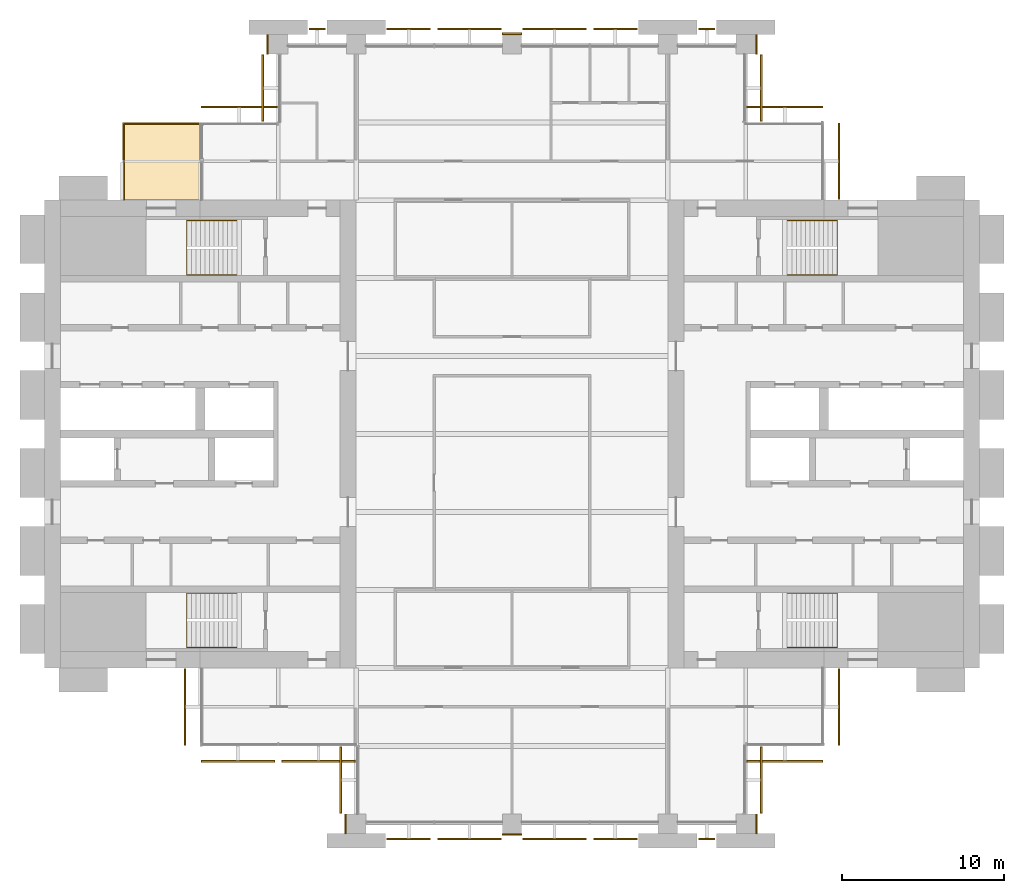
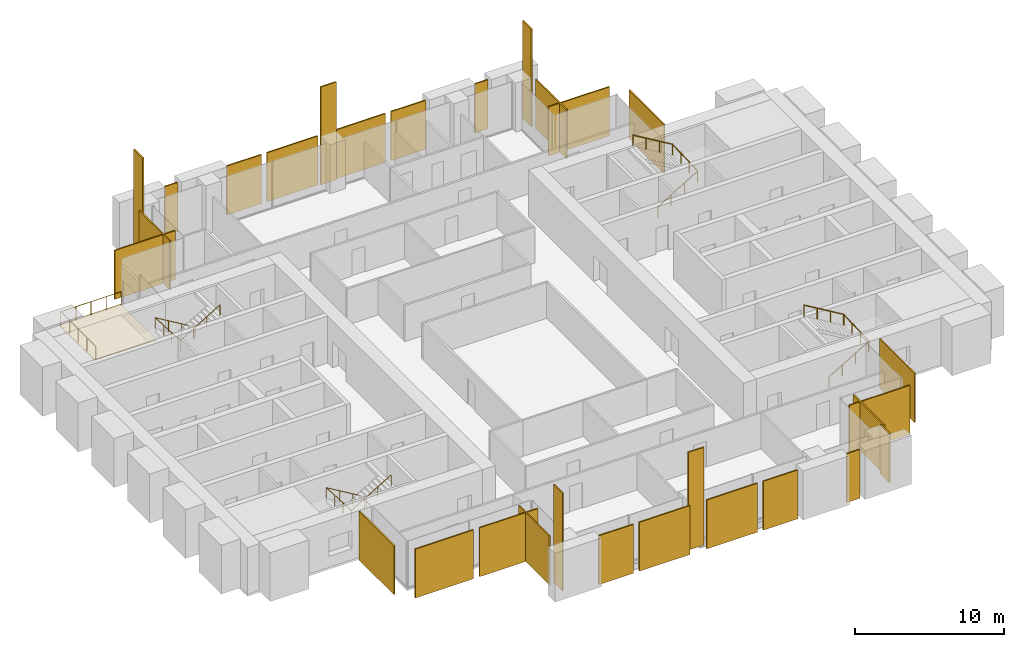
# One storey, part 14 of 14: 30 coverings, 5 railings.
"""IFC4 building model written with IfcOpenShell, lengths in metres."""

import ifcopenshell
import ifcopenshell.guid

model = None  # the IFC model being written
_history = None  # IfcOwnerHistory: only IFC2X3 demands one
_inside = {}  # id of a spatial element -> (the spatial element, [elements in it])
_under = {}  # id of a project, library or spatial element -> (it, [spatial elements below it])
_declared = {}  # id of a project -> (the project, [libraries it declares])
_typed = {}  # id of a type object -> (the type object, [elements of that type])
_made_of = {}  # id of a material, layer set ... -> (it, [elements and type objects made of it])


def new_model(schema):
    """Start an empty IFC model of exactly this schema.

    Asked for "IFC4X3", IfcOpenShell would pick the latest addendum, in which some entities
    have other attributes; the version numbers below select the first issue.
    IFC2X3 requires an IfcOwnerHistory on every rooted entity: one is made here for all.
    """
    global model, _history
    if schema == "IFC4X3":
        model = ifcopenshell.file(schema_version=(4, 3, 0, 0))
    else:
        model = ifcopenshell.file(schema=schema)
    _inside.clear()
    _under.clear()
    _declared.clear()
    _typed.clear()
    _made_of.clear()
    _history = None
    if model.schema == "IFC2X3":
        org = make("IfcOrganization", Name="unknown")
        user = make(
            "IfcPersonAndOrganization",
            ThePerson=make("IfcPerson", FamilyName="unknown"),
            TheOrganization=org,
        )
        app = make(
            "IfcApplication",
            ApplicationDeveloper=org,
            Version="unknown",
            ApplicationFullName="unknown",
            ApplicationIdentifier="unknown",
        )
        _history = make(
            "IfcOwnerHistory",
            OwningUser=user,
            OwningApplication=app,
            ChangeAction="ADDED",
            CreationDate=0,
        )
    return model


def make(cls, **values):
    """One entity of the class cls with the attributes given. An attribute that is None is left unset."""
    return model.create_entity(
        cls, **{name: value for name, value in values.items() if value is not None}
    )


def rooted(cls, **values):
    """An entity with a GlobalId (a new one), such as an element, a storey or a relation."""
    return make(cls, GlobalId=ifcopenshell.guid.new(), OwnerHistory=_history, **values)


def si_unit(unit_type, name, prefix=None):
    """IfcSIUnit, for example si_unit("LENGTHUNIT", "METRE", prefix="MILLI")."""
    return make("IfcSIUnit", UnitType=unit_type, Prefix=prefix, Name=name)


def assignment(units):
    """IfcUnitAssignment: the units of a project."""
    return None if units is None else make("IfcUnitAssignment", Units=units)


def point(xyz):
    """IfcCartesianPoint."""
    return None if xyz is None else make("IfcCartesianPoint", Coordinates=xyz)


def direction(xyz):
    """IfcDirection."""
    return None if xyz is None else make("IfcDirection", DirectionRatios=xyz)


def frame(location, z_axis=None, x_axis=None):
    """IfcAxis2Placement3D, a coordinate frame: its origin and axes. An axis left out is left unset."""
    return make(
        "IfcAxis2Placement3D",
        Location=point(location),
        Axis=direction(z_axis),
        RefDirection=direction(x_axis),
    )


def frame_2d(location, x_axis=None):
    """IfcAxis2Placement2D, a coordinate frame in the plane: its origin and x axis."""
    return make(
        "IfcAxis2Placement2D", Location=point(location), RefDirection=direction(x_axis)
    )


def origin():
    """The frame at (0, 0, 0) with its axes left unset."""
    return frame((0.0, 0.0, 0.0))


def origin_2d():
    """The frame at (0, 0) in the plane with its x axis left unset."""
    return frame_2d((0.0, 0.0))


def place(relative_to, where):
    """IfcLocalPlacement: puts the frame where relative to a parent placement (None: the world)."""
    return make(
        "IfcLocalPlacement", PlacementRelTo=relative_to, RelativePlacement=where
    )


def context(
    kind, dimensions, precision=None, world=None, true_north=None, identifier=None
):
    """IfcGeometricRepresentationContext, for example the 3D "Model" context."""
    return make(
        "IfcGeometricRepresentationContext",
        ContextIdentifier=identifier,
        ContextType=kind,
        CoordinateSpaceDimension=dimensions,
        Precision=precision,
        WorldCoordinateSystem=world,
        TrueNorth=true_north,
    )


def subcontext(parent, identifier, kind, view, scale=None):
    """IfcGeometricRepresentationSubContext, for example "Body" below "Model"."""
    return make(
        "IfcGeometricRepresentationSubContext",
        ContextIdentifier=identifier,
        ContextType=kind,
        ParentContext=parent,
        TargetScale=scale,
        TargetView=view,
    )


def project(units=None, contexts=None):
    """IfcProject with its units and contexts."""
    return rooted(
        "IfcProject",
        Name="project",
        RepresentationContexts=contexts,
        UnitsInContext=assignment(units),
    )


def spatial(cls, under=None, at=None, **own):
    """A site, building, storey or space (cls), placed at a placement, below another one or the project."""
    s = rooted(cls, ObjectPlacement=at, **own)
    if under is not None:
        _under.setdefault(under.id(), (under, []))[1].append(s)
    return s


def polyline(points):
    """IfcPolyline through the points."""
    return make("IfcPolyline", Points=[point(p) for p in points])


def profile(cls, at=None, kind="AREA", **sizes):
    """A parametric profile (cls). Its sizes go by their IFC names, for example OverallWidth=200.0."""
    return make(cls, ProfileType=kind, Position=at, **sizes)


def rectangle(**sizes):
    """IfcRectangleProfileDef."""
    return profile("IfcRectangleProfileDef", **sizes)


def circle(**sizes):
    """IfcCircleProfileDef."""
    return profile("IfcCircleProfileDef", **sizes)


def outline(outer, holes=None, kind="AREA"):
    """IfcArbitraryClosedProfileDef: a profile drawn as a closed curve; with holes, ...WithVoids."""
    if holes is None:
        return make("IfcArbitraryClosedProfileDef", ProfileType=kind, OuterCurve=outer)
    return make(
        "IfcArbitraryProfileDefWithVoids",
        ProfileType=kind,
        OuterCurve=outer,
        InnerCurves=holes,
    )


def extrude(swept, where, along, depth):
    """IfcExtrudedAreaSolid: the profile swept, set in the frame where, extruded along a direction by depth."""
    return make(
        "IfcExtrudedAreaSolid",
        SweptArea=swept,
        Position=where,
        ExtrudedDirection=direction(along),
        Depth=depth,
    )


def shape(context_of_items, identifier, shape_type, items):
    """IfcShapeRepresentation: the items that make up one representation, for example the "Body"."""
    return make(
        "IfcShapeRepresentation",
        ContextOfItems=context_of_items,
        RepresentationIdentifier=identifier,
        RepresentationType=shape_type,
        Items=items,
    )


def material(Name=None, Category=None):
    """IfcMaterial."""
    return make("IfcMaterial", Name=Name, Category=Category)


def layer(
    of_material, thickness, ventilated=None, Name=None, Category=None, Priority=None
):
    """IfcMaterialLayer: one layer of a wall or slab, of a material (None: an air gap)."""
    return make(
        "IfcMaterialLayer",
        Material=of_material,
        LayerThickness=thickness,
        IsVentilated=ventilated,
        Name=Name,
        Category=Category,
        Priority=Priority,
    )


def layer_set(layers, Name=None):
    """IfcMaterialLayerSet."""
    return make("IfcMaterialLayerSet", MaterialLayers=layers, LayerSetName=Name)


def made_of(thing, what):
    """Note that an element or type object is made of a material, layer set ...; save() writes the relation."""
    if what is not None:
        _made_of.setdefault(what.id(), (what, []))[1].append(thing)
    return thing


def type_object(cls, material=None, **own):
    """A type object (cls), such as IfcWallType, which elements share."""
    return made_of(rooted(cls, **own), material)


def element(
    cls,
    number,
    at=None,
    inside=None,
    cuts=None,
    type_object=None,
    material=None,
    context=None,
    identifier="Body",
    shape_type=None,
    held_by="IfcProductDefinitionShape",
    body=None,
    shapes=None,
    **own,
):
    """One element of the class cls, such as IfcWall. Its Tag is "e" and its number.

    at: its placement. inside: the storey or other place that contains it. cuts: it is an
    opening in that element (IfcRelVoidsElement). A single representation is given by context,
    identifier, shape_type and body (its items); several are given by shapes. held_by: the class
    of the entity that holds the representations. save() writes the other relations.
    """
    e = rooted(cls, Tag="e%d" % number, ObjectPlacement=at, **own)
    if body is not None:
        shapes = [shape(context, identifier, shape_type, body)]
    if shapes is not None:
        e.Representation = make(held_by, Representations=shapes)
    if inside is not None:
        _inside.setdefault(inside.id(), (inside, []))[1].append(e)
    if cuts is not None:
        rooted(
            "IfcRelVoidsElement", RelatingBuildingElement=cuts, RelatedOpeningElement=e
        )
    if type_object is not None:
        _typed.setdefault(type_object.id(), (type_object, []))[1].append(e)
    return made_of(e, material)


def aggregate(whole, parts):
    """IfcRelAggregates: a whole, such as a stair, and the parts it consists of."""
    return rooted("IfcRelAggregates", RelatingObject=whole, RelatedObjects=parts)


def save(model, path):
    """Write the relations noted so far, then the file.

    IfcRelAggregates (storeys below a building ...), IfcRelContainedInSpatialStructure (elements
    in a storey), IfcRelDefinesByType, IfcRelAssociatesMaterial and IfcRelDeclares: one each for
    every whole, place, type object, material and project.
    """
    for whole, parts in _under.values():
        aggregate(whole, parts)
    for where, things in _inside.values():
        rooted(
            "IfcRelContainedInSpatialStructure",
            RelatedElements=things,
            RelatingStructure=where,
        )
    for kind, things in _typed.values():
        rooted("IfcRelDefinesByType", RelatedObjects=things, RelatingType=kind)
    for what, things in _made_of.values():
        rooted("IfcRelAssociatesMaterial", RelatedObjects=things, RelatingMaterial=what)
    for by, libraries in _declared.values():
        rooted("IfcRelDeclares", RelatingContext=by, RelatedDefinitions=libraries)
    model.write(path)


model = new_model("IFC4")

# Units and contexts
model_context = context("Model", 3, precision=1e-05, world=origin(), true_north=direction((0.0, 1.0)))
body_context = subcontext(model_context, "Body", "Model", "MODEL_VIEW")
ifc_project = project(units=[si_unit("LENGTHUNIT", "METRE"), si_unit("AREAUNIT", "SQUARE_METRE"), si_unit("VOLUMEUNIT", "CUBIC_METRE"), si_unit("PLANEANGLEUNIT", "RADIAN"), si_unit("MASSUNIT", "GRAM", prefix="KILO")], contexts=[model_context])

# Site, building, storey
site_placement = place(None, origin())
site = spatial("IfcSite", under=ifc_project, at=site_placement, CompositionType="ELEMENT")
building_placement = place(site_placement, origin())
building = spatial("IfcBuilding", under=site, at=building_placement, Name="Baori Bourse Tower", CompositionType="ELEMENT")
storey_placement = place(building_placement, frame((0.0, 0.0, 168.10009765625)))
storey = spatial("IfcBuildingStorey", under=building, at=storey_placement, Name="L37", CompositionType="ELEMENT", Elevation=168.10009765625)

# Railings
ifc_material_1 = material(Name="Powder-coated steel balustrade", Category="steel")
railing_type_1 = type_object("IfcRailingType", Name="Core stair handrail", PredefinedType="HANDRAIL", material=ifc_material_1)
railing_1_placement = place(storey_placement, frame((11.85009765625, 14.199951171875, 0.16650390625)))
element("IfcRailing", 1, at=railing_1_placement, inside=storey, type_object=railing_type_1, Name="L37 ST1 stair handrail 1", PredefinedType="HANDRAIL", context=body_context, shape_type="SweptSolid", body=[
    extrude(circle(Radius=0.02392578125, at=origin_2d()), frame((0.0, 0.0, 0.8759765625), z_axis=(-0.85927862911, 0.0, 0.511507807912), x_axis=(0.0, -1.0, 0.0)), (0.0, 0.0, 1.0), 3.58447265625),
    extrude(circle(Radius=0.02392578125, at=origin_2d()), frame((-3.080078125, 0.0, 2.70947265625), z_axis=(0.0, -0.998766999029, 0.049643545903), x_axis=(1.0, 0.0, 0.0)), (0.0, 0.0, 1.0), 3.35400390625),
    extrude(circle(Radius=0.02392578125, at=origin_2d()), frame((-3.080078125, -3.349853515625, 2.8759765625), z_axis=(0.85927862911, 0.0, 0.511507807912), x_axis=(0.0, 1.0, 0.0)), (0.0, 0.0, 1.0), 3.58447265625),
    extrude(circle(Radius=0.02099609375, at=origin_2d()), origin(), (0.0, 0.0, 1.0), 0.851806640625),
    extrude(circle(Radius=0.02099609375, at=origin_2d()), frame((-1.026611328125, 0.0, 0.611083984375)), (0.0, 0.0, 1.0), 0.851806640625),
    extrude(circle(Radius=0.02099609375, at=origin_2d()), frame((-2.053466796875, 0.0, 1.222412109375)), (0.0, 0.0, 1.0), 0.851806640625),
    extrude(circle(Radius=0.02099609375, at=origin_2d()), frame((-3.080078125, 0.0, 1.83349609375)), (0.0, 0.0, 1.0), 0.851806640625),
    extrude(circle(Radius=0.02099609375, at=origin_2d()), frame((-3.080078125, -1.11669921875, 1.888916015625)), (0.0, 0.0, 1.0), 0.851806640625),
    extrude(circle(Radius=0.02099609375, at=origin_2d()), frame((-3.080078125, -2.233154296875, 1.944580078125)), (0.0, 0.0, 1.0), 0.851806640625),
    extrude(circle(Radius=0.02099609375, at=origin_2d()), frame((-3.080078125, -3.349853515625, 2.0)), (0.0, 0.0, 1.0), 0.851806640625),
    extrude(circle(Radius=0.02099609375, at=origin_2d()), frame((-2.053466796875, -3.349853515625, 2.611083984375)), (0.0, 0.0, 1.0), 0.851806640625),
    extrude(circle(Radius=0.02099609375, at=origin_2d()), frame((-1.026611328125, -3.349853515625, 3.222412109375)), (0.0, 0.0, 1.0), 0.851806640625),
    extrude(circle(Radius=0.02099609375, at=origin_2d()), frame((0.0, -3.349853515625, 3.83349609375)), (0.0, 0.0, 1.0), 0.851806640625),
])
railing_2_placement = place(storey_placement, frame((11.85009765625, 37.14990234375, 0.16650390625)))
element("IfcRailing", 2, at=railing_2_placement, inside=storey, type_object=railing_type_1, Name="L37 ST2 stair handrail 1", PredefinedType="HANDRAIL", context=body_context, shape_type="SweptSolid", body=[
    extrude(circle(Radius=0.02392578125, at=origin_2d()), frame((0.0, 0.0, 0.8759765625), z_axis=(-0.85927862911, 0.0, 0.511507807912), x_axis=(0.0, -1.0, 0.0)), (0.0, 0.0, 1.0), 3.58447265625),
    extrude(circle(Radius=0.02392578125, at=origin_2d()), frame((-3.080078125, 0.0, 2.70947265625), z_axis=(0.0, -0.998766999029, 0.049643545903), x_axis=(1.0, 0.0, 0.0)), (0.0, 0.0, 1.0), 3.35400390625),
    extrude(circle(Radius=0.02392578125, at=origin_2d()), frame((-3.080078125, -3.349853515625, 2.8759765625), z_axis=(0.85927862911, 0.0, 0.511507807912), x_axis=(0.0, 1.0, 0.0)), (0.0, 0.0, 1.0), 3.58447265625),
    extrude(circle(Radius=0.02099609375, at=origin_2d()), origin(), (0.0, 0.0, 1.0), 0.851806640625),
    extrude(circle(Radius=0.02099609375, at=origin_2d()), frame((-1.026611328125, 0.0, 0.611083984375)), (0.0, 0.0, 1.0), 0.851806640625),
    extrude(circle(Radius=0.02099609375, at=origin_2d()), frame((-2.053466796875, 0.0, 1.222412109375)), (0.0, 0.0, 1.0), 0.851806640625),
    extrude(circle(Radius=0.02099609375, at=origin_2d()), frame((-3.080078125, 0.0, 1.83349609375)), (0.0, 0.0, 1.0), 0.851806640625),
    extrude(circle(Radius=0.02099609375, at=origin_2d()), frame((-3.080078125, -1.11669921875, 1.888916015625)), (0.0, 0.0, 1.0), 0.851806640625),
    extrude(circle(Radius=0.02099609375, at=origin_2d()), frame((-3.080078125, -2.233154296875, 1.944580078125)), (0.0, 0.0, 1.0), 0.851806640625),
    extrude(circle(Radius=0.02099609375, at=origin_2d()), frame((-3.080078125, -3.349853515625, 2.0)), (0.0, 0.0, 1.0), 0.851806640625),
    extrude(circle(Radius=0.02099609375, at=origin_2d()), frame((-2.053466796875, -3.349853515625, 2.611083984375)), (0.0, 0.0, 1.0), 0.851806640625),
    extrude(circle(Radius=0.02099609375, at=origin_2d()), frame((-1.026611328125, -3.349853515625, 3.222412109375)), (0.0, 0.0, 1.0), 0.851806640625),
    extrude(circle(Radius=0.02099609375, at=origin_2d()), frame((0.0, -3.349853515625, 3.83349609375)), (0.0, 0.0, 1.0), 0.851806640625),
])
railing_3_placement = place(storey_placement, frame((45.75, 10.85009765625, 0.16650390625)))
element("IfcRailing", 3, at=railing_3_placement, inside=storey, type_object=railing_type_1, Name="L37 ST3 stair handrail 1", PredefinedType="HANDRAIL", context=body_context, shape_type="SweptSolid", body=[
    extrude(circle(Radius=0.02392578125, at=origin_2d()), frame((0.0, 0.0, 0.8759765625), z_axis=(0.85927862911, 0.0, 0.511507807912), x_axis=(0.0, 1.0, 0.0)), (0.0, 0.0, 1.0), 3.58447265625),
    extrude(circle(Radius=0.02392578125, at=origin_2d()), frame((3.080078125, 0.0, 2.70947265625), z_axis=(0.0, 0.998766999029, 0.049643545903), x_axis=(-1.0, 0.0, 0.0)), (0.0, 0.0, 1.0), 3.35400390625),
    extrude(circle(Radius=0.02392578125, at=origin_2d()), frame((3.080078125, 3.349853515625, 2.8759765625), z_axis=(-0.85927862911, 0.0, 0.511507807912), x_axis=(0.0, -1.0, 0.0)), (0.0, 0.0, 1.0), 3.58447265625),
    extrude(circle(Radius=0.02099609375, at=origin_2d()), origin(), (0.0, 0.0, 1.0), 0.851806640625),
    extrude(circle(Radius=0.02099609375, at=origin_2d()), frame((1.026611328125, 0.0, 0.611083984375)), (0.0, 0.0, 1.0), 0.851806640625),
    extrude(circle(Radius=0.02099609375, at=origin_2d()), frame((2.053466796875, 0.0, 1.222412109375)), (0.0, 0.0, 1.0), 0.851806640625),
    extrude(circle(Radius=0.02099609375, at=origin_2d()), frame((3.080078125, 0.0, 1.83349609375)), (0.0, 0.0, 1.0), 0.851806640625),
    extrude(circle(Radius=0.02099609375, at=origin_2d()), frame((3.080078125, 1.11669921875, 1.888916015625)), (0.0, 0.0, 1.0), 0.851806640625),
    extrude(circle(Radius=0.02099609375, at=origin_2d()), frame((3.080078125, 2.233154296875, 1.944580078125)), (0.0, 0.0, 1.0), 0.851806640625),
    extrude(circle(Radius=0.02099609375, at=origin_2d()), frame((3.080078125, 3.349853515625, 2.0)), (0.0, 0.0, 1.0), 0.851806640625),
    extrude(circle(Radius=0.02099609375, at=origin_2d()), frame((2.053466796875, 3.349853515625, 2.611083984375)), (0.0, 0.0, 1.0), 0.851806640625),
    extrude(circle(Radius=0.02099609375, at=origin_2d()), frame((1.026611328125, 3.349853515625, 3.222412109375)), (0.0, 0.0, 1.0), 0.851806640625),
    extrude(circle(Radius=0.02099609375, at=origin_2d()), frame((0.0, 3.349853515625, 3.83349609375)), (0.0, 0.0, 1.0), 0.851806640625),
])
railing_4_placement = place(storey_placement, frame((45.75, 33.800048828125, 0.16650390625)))
element("IfcRailing", 4, at=railing_4_placement, inside=storey, type_object=railing_type_1, Name="L37 ST4 stair handrail 1", PredefinedType="HANDRAIL", context=body_context, shape_type="SweptSolid", body=[
    extrude(circle(Radius=0.02392578125, at=origin_2d()), frame((0.0, 0.0, 0.8759765625), z_axis=(0.85927862911, 0.0, 0.511507807912), x_axis=(0.0, 1.0, 0.0)), (0.0, 0.0, 1.0), 3.58447265625),
    extrude(circle(Radius=0.02392578125, at=origin_2d()), frame((3.080078125, 0.0, 2.70947265625), z_axis=(0.0, 0.998766999029, 0.049643545903), x_axis=(-1.0, 0.0, 0.0)), (0.0, 0.0, 1.0), 3.35400390625),
    extrude(circle(Radius=0.02392578125, at=origin_2d()), frame((3.080078125, 3.349853515625, 2.8759765625), z_axis=(-0.85927862911, 0.0, 0.511507807912), x_axis=(0.0, -1.0, 0.0)), (0.0, 0.0, 1.0), 3.58447265625),
    extrude(circle(Radius=0.02099609375, at=origin_2d()), origin(), (0.0, 0.0, 1.0), 0.851806640625),
    extrude(circle(Radius=0.02099609375, at=origin_2d()), frame((1.026611328125, 0.0, 0.611083984375)), (0.0, 0.0, 1.0), 0.851806640625),
    extrude(circle(Radius=0.02099609375, at=origin_2d()), frame((2.053466796875, 0.0, 1.222412109375)), (0.0, 0.0, 1.0), 0.851806640625),
    extrude(circle(Radius=0.02099609375, at=origin_2d()), frame((3.080078125, 0.0, 1.83349609375)), (0.0, 0.0, 1.0), 0.851806640625),
    extrude(circle(Radius=0.02099609375, at=origin_2d()), frame((3.080078125, 1.11669921875, 1.888916015625)), (0.0, 0.0, 1.0), 0.851806640625),
    extrude(circle(Radius=0.02099609375, at=origin_2d()), frame((3.080078125, 2.233154296875, 1.944580078125)), (0.0, 0.0, 1.0), 0.851806640625),
    extrude(circle(Radius=0.02099609375, at=origin_2d()), frame((3.080078125, 3.349853515625, 2.0)), (0.0, 0.0, 1.0), 0.851806640625),
    extrude(circle(Radius=0.02099609375, at=origin_2d()), frame((2.053466796875, 3.349853515625, 2.611083984375)), (0.0, 0.0, 1.0), 0.851806640625),
    extrude(circle(Radius=0.02099609375, at=origin_2d()), frame((1.026611328125, 3.349853515625, 3.222412109375)), (0.0, 0.0, 1.0), 0.851806640625),
    extrude(circle(Radius=0.02099609375, at=origin_2d()), frame((0.0, 3.349853515625, 3.83349609375)), (0.0, 0.0, 1.0), 0.851806640625),
])
ifc_material_2 = material(Name="Stainless steel", Category="steel")
railing_type_2 = type_object("IfcRailingType", Name="GD1 Guard", PredefinedType="GUARDRAIL", material=ifc_material_2)
railing_5_placement = place(storey_placement, frame((4.89990234375, 38.429931640625, 0.039794921875)))
element("IfcRailing", 5, at=railing_5_placement, inside=storey, type_object=railing_type_2, Name="Guard terrace NW L37 1", PredefinedType="GUARDRAIL", context=body_context, shape_type="SweptSolid", body=[
    extrude(circle(Radius=0.02392578125, at=origin_2d()), frame((0.0, 0.0, 1.076171875), z_axis=(0.0, 1.0, 0.0), x_axis=(-1.0, 0.0, 0.0)), (0.0, 0.0, 1.0), 4.670166015625),
    extrude(circle(Radius=0.02392578125, at=origin_2d()), frame((0.0, 4.670166015625, 1.076171875), z_axis=(1.0, 0.0, 0.0), x_axis=(0.0, 1.0, 0.0)), (0.0, 0.0, 1.0), 4.670166015625),
    extrude(circle(Radius=0.02099609375, at=origin_2d()), origin(), (0.0, 0.0, 1.0), 1.052001953125),
    extrude(circle(Radius=0.02099609375, at=origin_2d()), frame((0.0, 1.16748046875, 0.0)), (0.0, 0.0, 1.0), 1.052001953125),
    extrude(circle(Radius=0.02099609375, at=origin_2d()), frame((0.0, 2.3349609375, 0.0)), (0.0, 0.0, 1.0), 1.052001953125),
    extrude(circle(Radius=0.02099609375, at=origin_2d()), frame((0.0, 3.502685546875, 0.0)), (0.0, 0.0, 1.0), 1.052001953125),
    extrude(circle(Radius=0.02099609375, at=origin_2d()), frame((0.0, 4.670166015625, 0.0)), (0.0, 0.0, 1.0), 1.052001953125),
    extrude(circle(Radius=0.02099609375, at=origin_2d()), frame((1.16748046875, 4.670166015625, 0.0)), (0.0, 0.0, 1.0), 1.052001953125),
    extrude(circle(Radius=0.02099609375, at=origin_2d()), frame((2.3349609375, 4.670166015625, 0.0)), (0.0, 0.0, 1.0), 1.052001953125),
    extrude(circle(Radius=0.02099609375, at=origin_2d()), frame((3.502685546875, 4.670166015625, 0.0)), (0.0, 0.0, 1.0), 1.052001953125),
    extrude(circle(Radius=0.02099609375, at=origin_2d()), frame((4.670166015625, 4.670166015625, 0.0)), (0.0, 0.0, 1.0), 1.052001953125),
])

# Coverings
ifc_material_3 = material(Name="Pale anodised aluminium", Category="aluminium")
ifc_layer_1 = layer(ifc_material_3, 0.10009765625)
ifc_layer_set_1 = layer_set([ifc_layer_1], Name="OS3 Outer skin screen panel")
covering_type_1 = type_object("IfcCoveringType", Name="OS3 Outer skin screen panel", PredefinedType="CLADDING", material=ifc_layer_set_1)
covering_1_placement = place(storey_placement, frame((0.0, 0.0, -0.16015625)))
element("IfcCovering", 6, at=covering_1_placement, inside=storey, type_object=covering_type_1, Name="Outer skin screen L37 1", PredefinedType="CLADDING", context=body_context, shape_type="SweptSolid", body=[
    extrude(outline(polyline([(48.89990234375, 43.14990234375), (48.89990234375, 38.449951171875), (49.0, 38.449951171875), (49.0, 43.14990234375), (48.89990234375, 43.14990234375)])), origin(), (0.0, 0.0, 1.0), 4.0),
])
covering_2_placement = place(storey_placement, frame((0.0, 0.0, -0.16015625)))
element("IfcCovering", 7, at=covering_2_placement, inside=storey, type_object=covering_type_1, Name="Outer skin screen L37 2", PredefinedType="CLADDING", context=body_context, shape_type="SweptSolid", body=[
    extrude(outline(polyline([(43.25, 44.10009765625), (47.949951171875, 44.10009765625), (47.949951171875, 44.199951171875), (43.25, 44.199951171875), (43.25, 44.10009765625)])), origin(), (0.0, 0.0, 1.0), 4.0),
])
covering_3_placement = place(storey_placement, frame((0.0, 0.0, -0.16015625)))
element("IfcCovering", 8, at=covering_3_placement, inside=storey, type_object=covering_type_1, Name="Outer skin screen L37 3", PredefinedType="CLADDING", context=body_context, shape_type="SweptSolid", body=[
    extrude(outline(polyline([(44.10009765625, 47.35009765625), (44.10009765625, 43.25), (44.199951171875, 43.25), (44.199951171875, 47.35009765625), (44.10009765625, 47.35009765625)])), origin(), (0.0, 0.0, 1.0), 4.0),
])
covering_4_placement = place(storey_placement, frame((0.0, 0.0, -0.16015625)))
element("IfcCovering", 9, at=covering_4_placement, inside=storey, type_object=covering_type_1, Name="Outer skin screen L37 4", PredefinedType="CLADDING", context=body_context, shape_type="SweptSolid", body=[
    extrude(outline(polyline([(40.300048828125, 48.89990234375), (41.300048828125, 48.89990234375), (41.300048828125, 49.0), (40.300048828125, 49.0), (40.300048828125, 48.89990234375)])), origin(), (0.0, 0.0, 1.0), 4.0),
])
covering_5_placement = place(storey_placement, frame((0.0, 0.0, -0.16015625)))
element("IfcCovering", 10, at=covering_5_placement, inside=storey, type_object=covering_type_1, Name="Outer skin screen L37 5", PredefinedType="CLADDING", context=body_context, shape_type="SweptSolid", body=[
    extrude(outline(polyline([(33.824951171875, 48.89990234375), (36.5, 48.89990234375), (36.5, 49.0), (33.824951171875, 49.0), (33.824951171875, 48.89990234375)])), origin(), (0.0, 0.0, 1.0), 4.0),
])
covering_6_placement = place(storey_placement, frame((0.0, 0.0, -0.16015625)))
element("IfcCovering", 11, at=covering_6_placement, inside=storey, type_object=covering_type_1, Name="Outer skin screen L37 6", PredefinedType="CLADDING", context=body_context, shape_type="SweptSolid", body=[
    extrude(outline(polyline([(29.449951171875, 48.89990234375), (33.375, 48.89990234375), (33.375, 49.0), (29.449951171875, 49.0), (29.449951171875, 48.89990234375)])), origin(), (0.0, 0.0, 1.0), 4.0),
])
covering_7_placement = place(storey_placement, frame((0.0, 0.0, -0.16015625)))
element("IfcCovering", 12, at=covering_7_placement, inside=storey, type_object=covering_type_1, Name="Outer skin screen L37 7", PredefinedType="CLADDING", context=body_context, shape_type="SweptSolid", body=[
    extrude(outline(polyline([(24.22509765625, 48.89990234375), (28.14990234375, 48.89990234375), (28.14990234375, 49.0), (24.22509765625, 49.0), (24.22509765625, 48.89990234375)])), origin(), (0.0, 0.0, 1.0), 4.0),
])
covering_8_placement = place(storey_placement, frame((0.0, 0.0, -0.16015625)))
element("IfcCovering", 13, at=covering_8_placement, inside=storey, type_object=covering_type_1, Name="Outer skin screen L37 8", PredefinedType="CLADDING", context=body_context, shape_type="SweptSolid", body=[
    extrude(outline(polyline([(21.10009765625, 48.89990234375), (23.77490234375, 48.89990234375), (23.77490234375, 49.0), (21.10009765625, 49.0), (21.10009765625, 48.89990234375)])), origin(), (0.0, 0.0, 1.0), 4.0),
])
covering_9_placement = place(storey_placement, frame((0.0, 0.0, -0.16015625)))
element("IfcCovering", 14, at=covering_9_placement, inside=storey, type_object=covering_type_1, Name="Outer skin screen L37 9", PredefinedType="CLADDING", context=body_context, shape_type="SweptSolid", body=[
    extrude(outline(polyline([(16.300048828125, 48.89990234375), (17.300048828125, 48.89990234375), (17.300048828125, 49.0), (16.300048828125, 49.0), (16.300048828125, 48.89990234375)])), origin(), (0.0, 0.0, 1.0), 4.0),
])
covering_10_placement = place(storey_placement, frame((0.0, 0.0, -0.16015625)))
element("IfcCovering", 15, at=covering_10_placement, inside=storey, type_object=covering_type_1, Name="Outer skin screen L37 10", PredefinedType="CLADDING", context=body_context, shape_type="SweptSolid", body=[
    extrude(outline(polyline([(13.5, 43.25), (13.5, 47.35009765625), (13.39990234375, 47.35009765625), (13.39990234375, 43.25), (13.5, 43.25)])), origin(), (0.0, 0.0, 1.0), 4.0),
])
covering_11_placement = place(storey_placement, frame((0.0, 0.0, -0.16015625)))
element("IfcCovering", 16, at=covering_11_placement, inside=storey, type_object=covering_type_1, Name="Outer skin screen L37 11", PredefinedType="CLADDING", context=body_context, shape_type="SweptSolid", body=[
    extrude(outline(polyline([(9.64990234375, 44.10009765625), (14.35009765625, 44.10009765625), (14.35009765625, 44.199951171875), (9.64990234375, 44.199951171875), (9.64990234375, 44.10009765625)])), origin(), (0.0, 0.0, 1.0), 4.0),
])
covering_12_placement = place(storey_placement, frame((0.0, 0.0, -0.16015625)))
element("IfcCovering", 17, at=covering_12_placement, inside=storey, type_object=covering_type_1, Name="Outer skin screen L37 12", PredefinedType="CLADDING", context=body_context, shape_type="SweptSolid", body=[
    extrude(outline(polyline([(8.699951171875, 4.85009765625), (8.699951171875, 9.550048828125), (8.60009765625, 9.550048828125), (8.60009765625, 4.85009765625), (8.699951171875, 4.85009765625)])), origin(), (0.0, 0.0, 1.0), 4.0),
])
covering_13_placement = place(storey_placement, frame((0.0, 0.0, -0.16015625)))
element("IfcCovering", 18, at=covering_13_placement, inside=storey, type_object=covering_type_1, Name="Outer skin screen L37 13", PredefinedType="CLADDING", context=body_context, shape_type="SweptSolid", body=[
    extrude(outline(polyline([(14.175048828125, 3.89990234375), (9.64990234375, 3.89990234375), (9.64990234375, 3.800048828125), (14.175048828125, 3.800048828125), (14.175048828125, 3.89990234375)])), origin(), (0.0, 0.0, 1.0), 4.0),
])
covering_14_placement = place(storey_placement, frame((0.0, 0.0, -0.16015625)))
element("IfcCovering", 19, at=covering_14_placement, inside=storey, type_object=covering_type_1, Name="Outer skin screen L37 14", PredefinedType="CLADDING", context=body_context, shape_type="SweptSolid", body=[
    extrude(outline(polyline([(19.14990234375, 3.89990234375), (14.625, 3.89990234375), (14.625, 3.800048828125), (19.14990234375, 3.800048828125), (19.14990234375, 3.89990234375)])), origin(), (0.0, 0.0, 1.0), 4.0),
])
covering_15_placement = place(storey_placement, frame((0.0, 0.0, -0.16015625)))
element("IfcCovering", 20, at=covering_15_placement, inside=storey, type_object=covering_type_1, Name="Outer skin screen L37 15", PredefinedType="CLADDING", context=body_context, shape_type="SweptSolid", body=[
    extrude(outline(polyline([(18.300048828125, 0.64990234375), (18.300048828125, 4.75), (18.199951171875, 4.75), (18.199951171875, 0.64990234375), (18.300048828125, 0.64990234375)])), origin(), (0.0, 0.0, 1.0), 4.0),
])
covering_16_placement = place(storey_placement, frame((0.0, 0.0, -0.16015625)))
element("IfcCovering", 21, at=covering_16_placement, inside=storey, type_object=covering_type_1, Name="Outer skin screen L37 16", PredefinedType="CLADDING", context=body_context, shape_type="SweptSolid", body=[
    extrude(outline(polyline([(23.77490234375, -0.89990234375), (21.10009765625, -0.89990234375), (21.10009765625, -1.0), (23.77490234375, -1.0), (23.77490234375, -0.89990234375)])), origin(), (0.0, 0.0, 1.0), 4.0),
])
covering_17_placement = place(storey_placement, frame((0.0, 0.0, -0.16015625)))
element("IfcCovering", 22, at=covering_17_placement, inside=storey, type_object=covering_type_1, Name="Outer skin screen L37 17", PredefinedType="CLADDING", context=body_context, shape_type="SweptSolid", body=[
    extrude(outline(polyline([(28.14990234375, -0.89990234375), (24.22509765625, -0.89990234375), (24.22509765625, -1.0), (28.14990234375, -1.0), (28.14990234375, -0.89990234375)])), origin(), (0.0, 0.0, 1.0), 4.0),
])
covering_18_placement = place(storey_placement, frame((0.0, 0.0, -0.16015625)))
element("IfcCovering", 23, at=covering_18_placement, inside=storey, type_object=covering_type_1, Name="Outer skin screen L37 18", PredefinedType="CLADDING", context=body_context, shape_type="SweptSolid", body=[
    extrude(outline(polyline([(33.375, -0.89990234375), (29.449951171875, -0.89990234375), (29.449951171875, -1.0), (33.375, -1.0), (33.375, -0.89990234375)])), origin(), (0.0, 0.0, 1.0), 4.0),
])
covering_19_placement = place(storey_placement, frame((0.0, 0.0, -0.16015625)))
element("IfcCovering", 24, at=covering_19_placement, inside=storey, type_object=covering_type_1, Name="Outer skin screen L37 19", PredefinedType="CLADDING", context=body_context, shape_type="SweptSolid", body=[
    extrude(outline(polyline([(36.5, -0.89990234375), (33.824951171875, -0.89990234375), (33.824951171875, -1.0), (36.5, -1.0), (36.5, -0.89990234375)])), origin(), (0.0, 0.0, 1.0), 4.0),
])
covering_20_placement = place(storey_placement, frame((0.0, 0.0, -0.16015625)))
element("IfcCovering", 25, at=covering_20_placement, inside=storey, type_object=covering_type_1, Name="Outer skin screen L37 20", PredefinedType="CLADDING", context=body_context, shape_type="SweptSolid", body=[
    extrude(outline(polyline([(41.300048828125, -0.89990234375), (40.300048828125, -0.89990234375), (40.300048828125, -1.0), (41.300048828125, -1.0), (41.300048828125, -0.89990234375)])), origin(), (0.0, 0.0, 1.0), 4.0),
])
covering_21_placement = place(storey_placement, frame((0.0, 0.0, -0.16015625)))
element("IfcCovering", 26, at=covering_21_placement, inside=storey, type_object=covering_type_1, Name="Outer skin screen L37 21", PredefinedType="CLADDING", context=body_context, shape_type="SweptSolid", body=[
    extrude(outline(polyline([(44.10009765625, 4.75), (44.10009765625, 0.64990234375), (44.199951171875, 0.64990234375), (44.199951171875, 4.75), (44.10009765625, 4.75)])), origin(), (0.0, 0.0, 1.0), 4.0),
])
covering_22_placement = place(storey_placement, frame((0.0, 0.0, -0.16015625)))
element("IfcCovering", 27, at=covering_22_placement, inside=storey, type_object=covering_type_1, Name="Outer skin screen L37 22", PredefinedType="CLADDING", context=body_context, shape_type="SweptSolid", body=[
    extrude(outline(polyline([(47.949951171875, 3.89990234375), (43.25, 3.89990234375), (43.25, 3.800048828125), (47.949951171875, 3.800048828125), (47.949951171875, 3.89990234375)])), origin(), (0.0, 0.0, 1.0), 4.0),
])
covering_23_placement = place(storey_placement, frame((0.0, 0.0, -0.16015625)))
element("IfcCovering", 28, at=covering_23_placement, inside=storey, type_object=covering_type_1, Name="Outer skin screen L37 23", PredefinedType="CLADDING", context=body_context, shape_type="SweptSolid", body=[
    extrude(outline(polyline([(48.89990234375, 9.550048828125), (48.89990234375, 4.85009765625), (49.0, 4.85009765625), (49.0, 9.550048828125), (48.89990234375, 9.550048828125)])), origin(), (0.0, 0.0, 1.0), 4.0),
])
ifc_material_4 = material(Name="Face brick", Category="masonry")
ifc_layer_2 = layer(ifc_material_4, 0.110107421875)
ifc_layer_set_2 = layer_set([ifc_layer_2], Name="PC1 Brick pier facing")
covering_type_2 = type_object("IfcCoveringType", Name="PC1 Brick pier facing", PredefinedType="CLADDING", material=ifc_layer_set_2)
covering_24_placement = place(storey_placement, frame((18.544921875, 0.0, 0.0), z_axis=(0.0, 0.0, 1.0), x_axis=(1.0, 0.0, 0.0)))
element("IfcCovering", 29, at=covering_24_placement, inside=storey, type_object=covering_type_2, Name="Brick pier facing L37 1", PredefinedType="CLADDING", context=body_context, shape_type="SweptSolid", body=[
    extrude(rectangle(XDim=0.110107421875, YDim=1.199951171875, at=origin_2d()), origin(), (0.0, 0.0, 1.0), 8.0),
])
covering_25_placement = place(storey_placement, frame((28.800048828125, -0.655029296875, 0.0), z_axis=(0.0, 0.0, 1.0), x_axis=(1.0, 0.0, 0.0)))
element("IfcCovering", 30, at=covering_25_placement, inside=storey, type_object=covering_type_2, Name="Brick pier facing L37 2", PredefinedType="CLADDING", context=body_context, shape_type="SweptSolid", body=[
    extrude(rectangle(XDim=1.199951171875, YDim=0.110107421875, at=origin_2d()), origin(), (0.0, 0.0, 1.0), 8.0),
])
covering_26_placement = place(storey_placement, frame((43.85498046875, 0.0, 0.0), z_axis=(0.0, 0.0, 1.0), x_axis=(1.0, 0.0, 0.0)))
element("IfcCovering", 31, at=covering_26_placement, inside=storey, type_object=covering_type_2, Name="Brick pier facing L37 3", PredefinedType="CLADDING", context=body_context, shape_type="SweptSolid", body=[
    extrude(rectangle(XDim=0.110107421875, YDim=1.199951171875, at=origin_2d()), origin(), (0.0, 0.0, 1.0), 4.0),
])
covering_27_placement = place(storey_placement, frame((13.7451171875, 48.0, 0.0), z_axis=(0.0, 0.0, 1.0), x_axis=(1.0, 0.0, 0.0)))
element("IfcCovering", 32, at=covering_27_placement, inside=storey, type_object=covering_type_2, Name="Brick pier facing L37 4", PredefinedType="CLADDING", context=body_context, shape_type="SweptSolid", body=[
    extrude(rectangle(XDim=0.110107421875, YDim=1.199951171875, at=origin_2d()), origin(), (0.0, 0.0, 1.0), 8.0),
])
covering_28_placement = place(storey_placement, frame((28.800048828125, 48.655029296875, 0.0), z_axis=(0.0, 0.0, 1.0), x_axis=(1.0, 0.0, 0.0)))
element("IfcCovering", 33, at=covering_28_placement, inside=storey, type_object=covering_type_2, Name="Brick pier facing L37 5", PredefinedType="CLADDING", context=body_context, shape_type="SweptSolid", body=[
    extrude(rectangle(XDim=1.199951171875, YDim=0.110107421875, at=origin_2d()), origin(), (0.0, 0.0, 1.0), 8.0),
])
covering_29_placement = place(storey_placement, frame((43.85498046875, 48.0, 0.0), z_axis=(0.0, 0.0, 1.0), x_axis=(1.0, 0.0, 0.0)))
element("IfcCovering", 34, at=covering_29_placement, inside=storey, type_object=covering_type_2, Name="Brick pier facing L37 6", PredefinedType="CLADDING", context=body_context, shape_type="SweptSolid", body=[
    extrude(rectangle(XDim=0.110107421875, YDim=1.199951171875, at=origin_2d()), origin(), (0.0, 0.0, 1.0), 8.0),
])
ifc_material_5 = material(Name="Granite paving", Category="masonry")
ifc_layer_3 = layer(ifc_material_5, 0.0400390625)
ifc_layer_set_3 = layer_set([ifc_layer_3], Name="PV1 Deck paving")
covering_type_3 = type_object("IfcCoveringType", Name="PV1 Deck paving", PredefinedType="FLOORING", material=ifc_layer_set_3)
covering_30_placement = place(storey_placement, origin())
element("IfcCovering", 35, at=covering_30_placement, inside=storey, type_object=covering_type_3, Name="Terrace paving L37 1", PredefinedType="FLOORING", context=body_context, shape_type="SweptSolid", body=[
    extrude(outline(polyline([(9.60009765625, 38.39990234375), (9.60009765625, 43.199951171875), (4.800048828125, 43.199951171875), (4.800048828125, 38.39990234375), (9.60009765625, 38.39990234375)])), origin(), (0.0, 0.0, 1.0), 0.039794921875),
])

save(model, "model.ifc")
